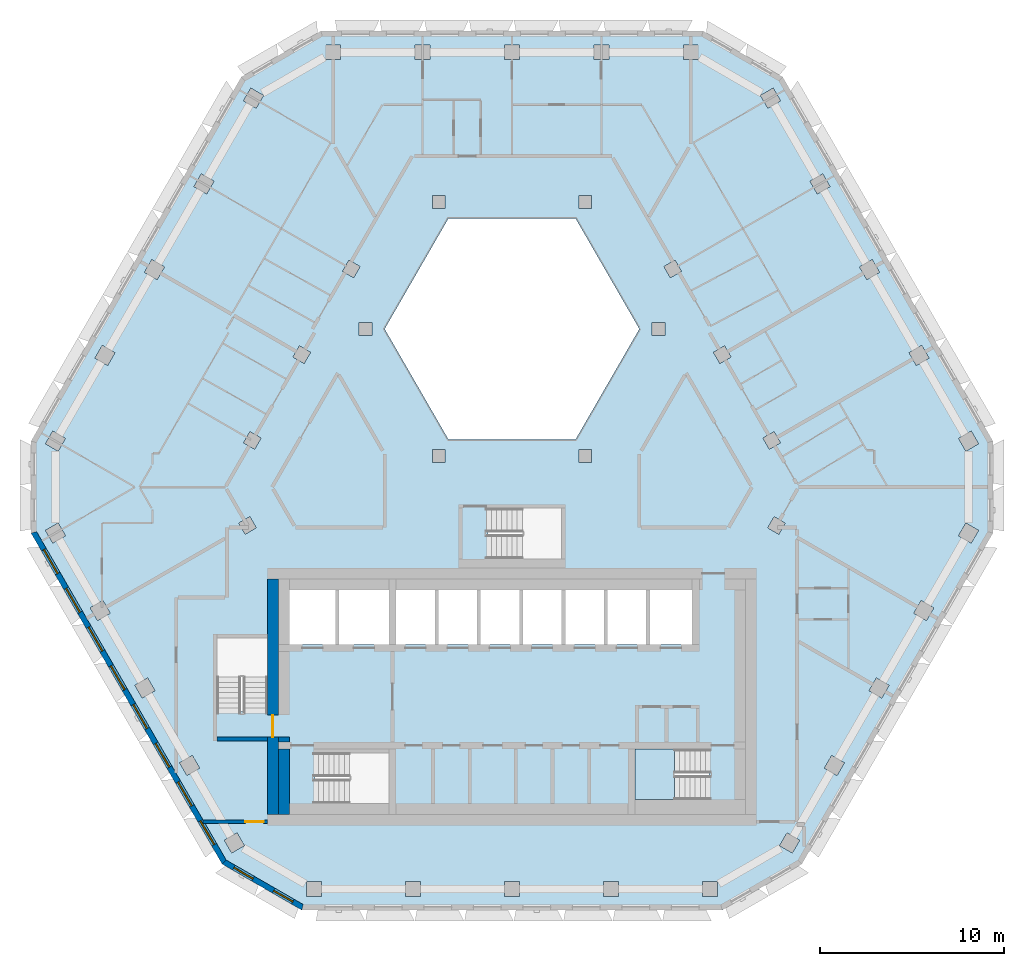
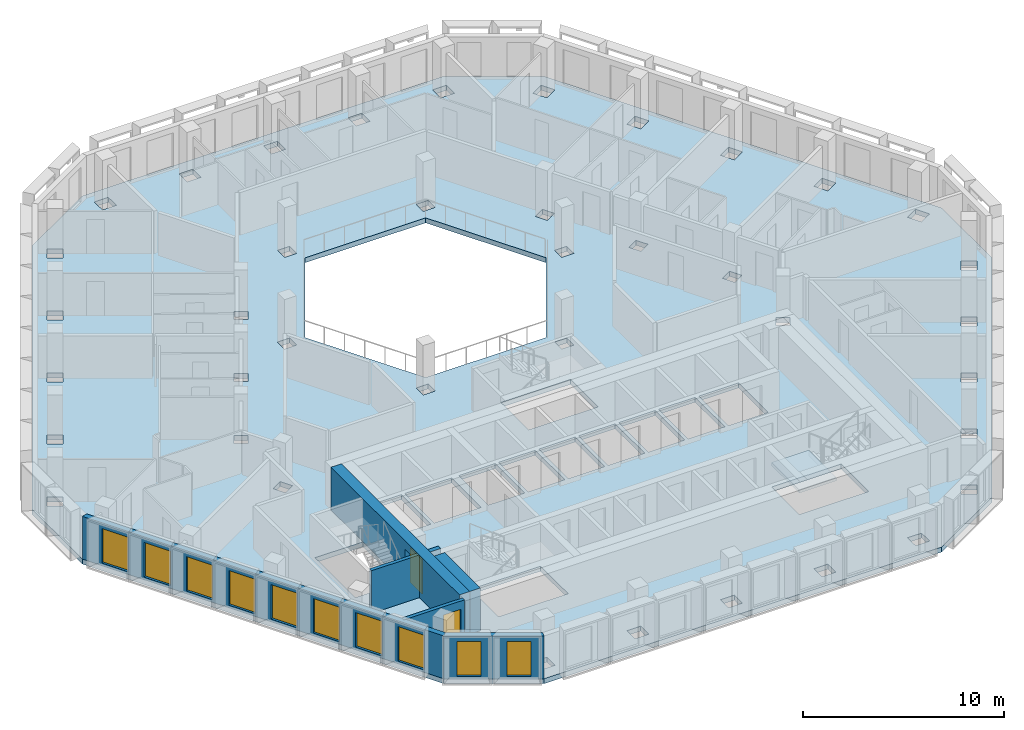
# One storey, part 2 of 18: 10 windows, 7 walls, 2 doors, 2 slabs, 12 openings, 1 element without a shape of its own.
"""IFC4 building model written with IfcOpenShell, lengths in metres."""

from ifc_helpers import new_model, si_unit, direction, frame, frame_2d, origin, place, context, subcontext, project, spatial, polyline, rectangle, outline, extrude, material, layer, layer_set, type_object, element, fill, aggregate, save


model = new_model("IFC4")

# Units and contexts
model_context = context("Model", 3, precision=1e-05, world=origin(), true_north=direction((0.0, 1.0)))
body_context = subcontext(model_context, "Body", "Model", "MODEL_VIEW")
ifc_project = project(units=[si_unit("LENGTHUNIT", "METRE"), si_unit("AREAUNIT", "SQUARE_METRE"), si_unit("VOLUMEUNIT", "CUBIC_METRE"), si_unit("PLANEANGLEUNIT", "RADIAN"), si_unit("MASSUNIT", "GRAM", prefix="KILO")], contexts=[model_context])

# Site, building, storey
site_placement = place(None, origin())
site = spatial("IfcSite", under=ifc_project, at=site_placement, CompositionType="ELEMENT")
building_placement = place(site_placement, origin())
building = spatial("IfcBuilding", under=site, at=building_placement, Name="Beryl Residences", CompositionType="ELEMENT")
storey_placement = place(building_placement, frame((0.0, 0.0, 196.199951171875)))
storey = spatial("IfcBuildingStorey", under=building, at=storey_placement, Name="L60", CompositionType="ELEMENT", Elevation=196.199951171875)

# Slab
ifc_material_1 = material(Name="Concrete C40/50", Category="concrete")
ifc_layer_1 = layer(ifc_material_1, 0.300048828125)
ifc_layer_set_1 = layer_set([ifc_layer_1], Name="SL7 PT floor slab 300 mm C40/50")
slab_type_1 = type_object("IfcSlabType", Name="SL7 PT floor slab 300 mm C40/50", PredefinedType="FLOOR", material=ifc_layer_set_1)
slab_1_placement = place(storey_placement, frame((0.0, 0.0, -0.300048828125)))
element("IfcSlab", 1, at=slab_1_placement, inside=storey, type_object=slab_type_1, Name="L60 slab 1", PredefinedType="FLOOR", context=body_context, shape_type="SweptSolid", body=[
    extrude(outline(polyline([(26.154052734375, -3.10009765625), (15.760986328125, -21.10009765625), (11.430908203125, -23.60009765625), (-11.430908203125, -23.60009765625), (-15.760986328125, -21.10009765625), (-26.154052734375, -3.10009765625), (-26.154052734375, 1.89990234375), (-14.721923828125, 21.699951171875), (-10.39208984375, 24.199951171875), (10.39208984375, 24.199951171875), (14.721923828125, 21.699951171875), (26.154052734375, 1.89990234375), (26.154052734375, -3.10009765625)]), holes=[polyline([(24.971923828125, 2.446044921875), (24.280029296875, 2.0458984375), (24.679931640625, 1.35400390625), (25.3720703125, 1.75390625), (24.971923828125, 2.446044921875)]), polyline([(24.678955078125, -2.554931640625), (24.279052734375, -3.2470703125), (24.970947265625, -3.64697265625), (25.37109375, -2.955078125), (24.678955078125, -2.554931640625)]), polyline([(22.2470703125, -6.76806640625), (21.846923828125, -7.4599609375), (22.5390625, -7.860107421875), (22.93896484375, -7.16796875), (22.2470703125, -6.76806640625)]), polyline([(22.280029296875, 7.10791015625), (21.587890625, 6.7080078125), (21.988037109375, 6.01611328125), (22.679931640625, 6.416015625), (22.280029296875, 7.10791015625)]), polyline([(19.4150390625, -11.672119140625), (20.10693359375, -12.072021484375), (20.507080078125, -11.3798828125), (19.81494140625, -10.97998046875), (19.4150390625, -11.672119140625)]), polyline([(18.89599609375, 11.37109375), (19.2958984375, 10.678955078125), (19.988037109375, 11.0791015625), (19.587890625, 11.77099609375), (18.89599609375, 11.37109375)]), polyline([(18.074951171875, -15.592041015625), (17.383056640625, -15.19189453125), (16.98291015625, -15.884033203125), (17.675048828125, -16.283935546875), (18.074951171875, -15.592041015625)]), polyline([(16.89599609375, 16.43408203125), (16.2041015625, 16.033935546875), (16.60400390625, 15.342041015625), (17.2958984375, 15.741943359375), (16.89599609375, 16.43408203125)]), polyline([(15.64306640625, -19.804931640625), (14.950927734375, -19.405029296875), (14.551025390625, -20.096923828125), (15.242919921875, -20.4970703125), (15.64306640625, -19.804931640625)]), polyline([(14.860107421875, -2.56103515625), (14.25390625, -2.2109375), (13.904052734375, -2.81689453125), (14.510009765625, -3.1669921875), (14.860107421875, -2.56103515625)]), polyline([(14.2041015625, 21.095947265625), (13.511962890625, 20.696044921875), (13.912109375, 20.00390625), (14.60400390625, 20.404052734375), (14.2041015625, 21.095947265625)]), polyline([(13.64501953125, 2.06494140625), (13.9951171875, 1.458984375), (14.60107421875, 1.80908203125), (14.2509765625, 2.4150390625), (13.64501953125, 2.06494140625)]), polyline([(11.55908203125, 7.077880859375), (10.952880859375, 6.72802734375), (11.302978515625, 6.1220703125), (11.908935546875, 6.471923828125), (11.55908203125, 7.077880859375)]), polyline([(11.1689453125, -22.050048828125), (10.368896484375, -22.050048828125), (10.368896484375, -22.85009765625), (11.1689453125, -22.85009765625), (11.1689453125, -22.050048828125)]), polyline([(6.699951171875, -14.85009765625), (6.699951171875, -17.60009765625), (10.699951171875, -17.60009765625), (10.699951171875, -14.85009765625), (6.699951171875, -14.85009765625)]), polyline([(9.327880859375, 23.449951171875), (9.327880859375, 22.64990234375), (10.1279296875, 22.64990234375), (10.1279296875, 23.449951171875), (9.327880859375, 23.449951171875)]), polyline([(7.5, -9.14990234375), (9.800048828125, -9.14990234375), (9.800048828125, -6.199951171875), (7.5, -6.199951171875), (7.5, -9.14990234375)]), polyline([(8.260986328125, 11.39111328125), (8.611083984375, 10.784912109375), (9.217041015625, 11.135009765625), (8.866943359375, 11.740966796875), (8.260986328125, 11.39111328125)]), polyline([(8.31689453125, 7.64990234375), (8.31689453125, 8.35009765625), (7.616943359375, 8.35009765625), (7.616943359375, 7.64990234375), (8.31689453125, 7.64990234375)]), polyline([(5.199951171875, -9.14990234375), (7.300048828125, -9.14990234375), (7.300048828125, -6.199951171875), (5.199951171875, -6.199951171875), (5.199951171875, -9.14990234375)]), polyline([(3.464111328125, 14.0), (-3.464111328125, 14.0), (-6.92822265625, 8.0), (-3.464111328125, 2.0), (3.464111328125, 2.0), (6.92822265625, 8.0), (3.464111328125, 14.0)]), polyline([(5.784912109375, -22.85009765625), (5.784912109375, -22.050048828125), (4.985107421875, -22.050048828125), (4.985107421875, -22.85009765625), (5.784912109375, -22.85009765625)]), polyline([(4.464111328125, 23.449951171875), (4.464111328125, 22.64990234375), (5.263916015625, 22.64990234375), (5.263916015625, 23.449951171875), (4.464111328125, 23.449951171875)]), polyline([(5.0, -9.14990234375), (5.0, -6.199951171875), (2.89990234375, -6.199951171875), (2.89990234375, -9.14990234375), (5.0, -9.14990234375)]), polyline([(4.333984375, 14.550048828125), (4.333984375, 15.25), (3.634033203125, 15.25), (3.634033203125, 14.550048828125), (4.333984375, 14.550048828125)]), polyline([(4.333984375, 1.449951171875), (3.634033203125, 1.449951171875), (3.634033203125, 0.75), (4.333984375, 0.75), (4.333984375, 1.449951171875)]), polyline([(2.699951171875, -4.5), (2.699951171875, -1.75), (-1.300048828125, -1.75), (-1.300048828125, -4.5), (2.699951171875, -4.5)]), polyline([(0.60009765625, -9.14990234375), (2.699951171875, -9.14990234375), (2.699951171875, -6.199951171875), (0.60009765625, -6.199951171875), (0.60009765625, -9.14990234375)]), polyline([(-0.39892578125, -22.050048828125), (-0.39892578125, -22.85009765625), (0.40087890625, -22.85009765625), (0.40087890625, -22.050048828125), (-0.39892578125, -22.050048828125)]), polyline([(0.39990234375, 22.64990234375), (0.39990234375, 23.449951171875), (-0.39990234375, 23.449951171875), (-0.39990234375, 22.64990234375), (0.39990234375, 22.64990234375)]), polyline([(0.39990234375, -6.199951171875), (-1.699951171875, -6.199951171875), (-1.699951171875, -9.14990234375), (0.39990234375, -9.14990234375), (0.39990234375, -6.199951171875)]), polyline([(-4.0, -9.14990234375), (-1.89990234375, -9.14990234375), (-1.89990234375, -6.199951171875), (-4.0, -6.199951171875), (-4.0, -9.14990234375)]), polyline([(-3.634033203125, 15.25), (-4.333984375, 15.25), (-4.333984375, 14.550048828125), (-3.634033203125, 14.550048828125), (-3.634033203125, 15.25)]), polyline([(-3.634033203125, 0.75), (-3.634033203125, 1.449951171875), (-4.333984375, 1.449951171875), (-4.333984375, 0.75), (-3.634033203125, 0.75)]), polyline([(-6.300048828125, -9.14990234375), (-4.199951171875, -9.14990234375), (-4.199951171875, -6.199951171875), (-6.300048828125, -6.199951171875), (-6.300048828125, -9.14990234375)]), polyline([(-5.263916015625, 23.449951171875), (-5.263916015625, 22.64990234375), (-4.464111328125, 22.64990234375), (-4.464111328125, 23.449951171875), (-5.263916015625, 23.449951171875)]), polyline([(-4.98291015625, -22.85009765625), (-4.98291015625, -22.050048828125), (-5.782958984375, -22.050048828125), (-5.782958984375, -22.85009765625), (-4.98291015625, -22.85009765625)]), polyline([(-6.699951171875, -6.199951171875), (-9.39990234375, -6.199951171875), (-9.39990234375, -9.14990234375), (-6.699951171875, -9.14990234375), (-6.699951171875, -6.199951171875)]), polyline([(-10.699951171875, -15.050048828125), (-10.699951171875, -17.800048828125), (-6.699951171875, -17.800048828125), (-6.699951171875, -15.050048828125), (-10.699951171875, -15.050048828125)]), polyline([(-7.616943359375, 7.64990234375), (-7.616943359375, 8.35009765625), (-8.31689453125, 8.35009765625), (-8.31689453125, 7.64990234375), (-7.616943359375, 7.64990234375)]), polyline([(-8.611083984375, 10.784912109375), (-8.260986328125, 11.39111328125), (-8.866943359375, 11.740966796875), (-9.217041015625, 11.135009765625), (-8.611083984375, 10.784912109375)]), polyline([(-10.1279296875, 23.449951171875), (-10.1279296875, 22.64990234375), (-9.327880859375, 22.64990234375), (-9.327880859375, 23.449951171875), (-10.1279296875, 23.449951171875)]), polyline([(-12.10009765625, -9.14990234375), (-9.60009765625, -9.14990234375), (-9.60009765625, -6.199951171875), (-12.10009765625, -6.199951171875), (-12.10009765625, -9.14990234375)]), polyline([(-11.1669921875, -22.050048828125), (-11.1669921875, -22.85009765625), (-10.366943359375, -22.85009765625), (-10.366943359375, -22.050048828125), (-11.1669921875, -22.050048828125)]), polyline([(-11.908935546875, 6.471923828125), (-11.302978515625, 6.1220703125), (-10.952880859375, 6.72802734375), (-11.55908203125, 7.077880859375), (-11.908935546875, 6.471923828125)]), polyline([(-13.300048828125, -8.800048828125), (-16.050048828125, -8.800048828125), (-16.050048828125, -12.800048828125), (-13.300048828125, -12.800048828125), (-13.300048828125, -8.800048828125)]), polyline([(-13.912109375, 20.00390625), (-13.511962890625, 20.696044921875), (-14.2041015625, 21.095947265625), (-14.60400390625, 20.404052734375), (-13.912109375, 20.00390625)]), polyline([(-13.9951171875, 1.458984375), (-13.64501953125, 2.06494140625), (-14.2509765625, 2.4150390625), (-14.60107421875, 1.80908203125), (-13.9951171875, 1.458984375)]), polyline([(-14.510986328125, -3.1650390625), (-13.905029296875, -2.81494140625), (-14.2548828125, -2.208984375), (-14.861083984375, -2.55908203125), (-14.510986328125, -3.1650390625)]), polyline([(-14.552001953125, -20.094970703125), (-14.951904296875, -19.403076171875), (-15.64404296875, -19.802978515625), (-15.243896484375, -20.4951171875), (-14.552001953125, -20.094970703125)]), polyline([(-16.60400390625, 15.342041015625), (-16.2041015625, 16.033935546875), (-16.89599609375, 16.43408203125), (-17.2958984375, 15.741943359375), (-16.60400390625, 15.342041015625)]), polyline([(-16.98388671875, -15.882080078125), (-17.384033203125, -15.18994140625), (-18.075927734375, -15.590087890625), (-17.676025390625, -16.281982421875), (-16.98388671875, -15.882080078125)]), polyline([(-18.89599609375, 11.37109375), (-19.587890625, 11.77099609375), (-19.988037109375, 11.0791015625), (-19.2958984375, 10.678955078125), (-18.89599609375, 11.37109375)]), polyline([(-20.10791015625, -12.070068359375), (-19.416015625, -11.669921875), (-19.81591796875, -10.97802734375), (-20.508056640625, -11.3779296875), (-20.10791015625, -12.070068359375)]), polyline([(-22.679931640625, 6.416015625), (-21.988037109375, 6.01611328125), (-21.587890625, 6.7080078125), (-22.280029296875, 7.10791015625), (-22.679931640625, 6.416015625)]), polyline([(-21.847900390625, -7.4580078125), (-22.248046875, -6.76611328125), (-22.93994140625, -7.166015625), (-22.5400390625, -7.85791015625), (-21.847900390625, -7.4580078125)]), polyline([(-25.3720703125, 1.75390625), (-24.679931640625, 1.35400390625), (-24.280029296875, 2.0458984375), (-24.971923828125, 2.446044921875), (-25.3720703125, 1.75390625)]), polyline([(-24.280029296875, -3.2451171875), (-24.679931640625, -2.552978515625), (-25.3720703125, -2.952880859375), (-24.971923828125, -3.64501953125), (-24.280029296875, -3.2451171875)])]), origin(), (0.0, 0.0, 1.0), 0.300048828125),
])

# Stair, slab
ifc_material_2 = material(Name="Concrete C40/50", Category="concrete")
stair_type = type_object("IfcStairType", Name="ST1 protected exit stair, half-turn, 1300 mm flights", PredefinedType="HALF_TURN_STAIR", material=ifc_material_2)
stair_placement = place(storey_placement, origin())
stair = element("IfcStair", 2, at=stair_placement, inside=storey, type_object=stair_type, Name="L60 PROTECTED EXIT STAIR ST-3", PredefinedType="HALF_TURN_STAIR")
ifc_material_3 = material(Name="Concrete C40/50", Category="concrete")
ifc_layer_2 = layer(ifc_material_3, 0.199951171875)
ifc_layer_set_2 = layer_set([ifc_layer_2], Name="SLD1 stair landing 200 mm")
slab_type_2 = type_object("IfcSlabType", Name="SLD1 stair landing 200 mm", PredefinedType="LANDING", material=ifc_layer_set_2)
slab_2_placement = place(storey_placement, frame((0.0, 0.0, 1.300048828125)))
slab_2 = element("IfcSlab", 3, at=slab_2_placement, type_object=slab_type_2, Name="ST-3 landing 1", PredefinedType="LANDING", context=body_context, shape_type="SweptSolid", body=[
    extrude(outline(polyline([(8.840087890625, -14.85009765625), (6.699951171875, -14.85009765625), (6.699951171875, -17.60009765625), (8.840087890625, -17.60009765625), (8.840087890625, -14.85009765625)])), origin(), (0.0, 0.0, 1.0), 0.199951171875),
])
aggregate(stair, [slab_2])

# Wall, openings, windows
ifc_material_4 = material(Name="Composite metal panel with mineral wool insulation")
ifc_layer_3 = layer(ifc_material_4, 0.300048828125)
ifc_layer_set_3 = layer_set([ifc_layer_3], Name="ES1 pale metal composite panel wall 300 mm")
wall_type_1 = type_object("IfcWallType", Name="ES1 pale metal composite panel wall 300 mm", PredefinedType="SOLIDWALL", material=ifc_layer_set_3)
wall_1_placement = place(storey_placement, frame((-26.02392578125, -3.02490234375, 0.0), z_axis=(0.0, 0.0, 1.0), x_axis=(0.500018670445, -0.86601462413, 0.0)))
wall_1 = element("IfcWall", 4, at=wall_1_placement, inside=storey, type_object=wall_type_1, Name="ES1 external wall L60 SW", PredefinedType="SOLIDWALL", context=body_context, shape_type="SweptSolid", body=[
    extrude(outline(polyline([(0.0, -0.14990234375), (20.784912109375, -0.14990234375), (20.70458984375, 0.14990234375), (0.080322265625, 0.14990234375), (0.0, -0.14990234375)])), origin(), (0.0, 0.0, 1.0), 2.60009765625),
])
opening_1_placement = place(wall_1_placement, frame((1.1298828125, 0.0, 0.14990234375)))
opening_1 = element("IfcOpeningElement", 5, at=opening_1_placement, cuts=wall_1, Name="Opening W1", PredefinedType="OPENING", context=body_context, shape_type="SweptSolid", body=[
    extrude(rectangle(XDim=1.5, YDim=2.10009765625, at=frame_2d((0.75, 1.050048828125))), frame((0.0, 0.159912109375, 0.0), z_axis=(0.0, -1.0, 0.0), x_axis=(1.0, 0.0, 0.0)), (0.0, 0.0, 1.0), 0.320068359375),
])
opening_2_placement = place(wall_1_placement, frame((3.56201171875, 0.0, 0.14990234375)))
opening_2 = element("IfcOpeningElement", 6, at=opening_2_placement, cuts=wall_1, Name="Opening W1", PredefinedType="OPENING", context=body_context, shape_type="SweptSolid", body=[
    extrude(rectangle(XDim=1.5, YDim=2.10009765625, at=frame_2d((0.75, 1.050048828125))), frame((0.0, 0.159912109375, 0.0), z_axis=(0.0, -1.0, 0.0), x_axis=(1.0, 0.0, 0.0)), (0.0, 0.0, 1.0), 0.320068359375),
])
opening_3_placement = place(wall_1_placement, frame((5.993896484375, 0.0, 0.14990234375)))
opening_3 = element("IfcOpeningElement", 7, at=opening_3_placement, cuts=wall_1, Name="Opening W1", PredefinedType="OPENING", context=body_context, shape_type="SweptSolid", body=[
    extrude(rectangle(XDim=1.5, YDim=2.10009765625, at=frame_2d((0.75, 1.050048828125))), frame((0.0, 0.159912109375, 0.0), z_axis=(0.0, -1.0, 0.0), x_axis=(1.0, 0.0, 0.0)), (0.0, 0.0, 1.0), 0.320068359375),
])
opening_4_placement = place(wall_1_placement, frame((8.425048828125, 0.0, 0.14990234375)))
opening_4 = element("IfcOpeningElement", 8, at=opening_4_placement, cuts=wall_1, Name="Opening W1", PredefinedType="OPENING", context=body_context, shape_type="SweptSolid", body=[
    extrude(rectangle(XDim=1.5, YDim=2.10009765625, at=frame_2d((0.75, 1.050048828125))), frame((0.0, 0.159912109375, 0.0), z_axis=(0.0, -1.0, 0.0), x_axis=(1.0, 0.0, 0.0)), (0.0, 0.0, 1.0), 0.320068359375),
])
opening_5_placement = place(wall_1_placement, frame((10.85693359375, 0.0, 0.14990234375)))
opening_5 = element("IfcOpeningElement", 9, at=opening_5_placement, cuts=wall_1, Name="Opening W1", PredefinedType="OPENING", context=body_context, shape_type="SweptSolid", body=[
    extrude(rectangle(XDim=1.5, YDim=2.10009765625, at=frame_2d((0.75, 1.050048828125))), frame((0.0, 0.159912109375, 0.0), z_axis=(0.0, -1.0, 0.0), x_axis=(1.0, 0.0, 0.0)), (0.0, 0.0, 1.0), 0.320068359375),
])
opening_6_placement = place(wall_1_placement, frame((13.2890625, 0.0, 0.14990234375)))
opening_6 = element("IfcOpeningElement", 10, at=opening_6_placement, cuts=wall_1, Name="Opening W1", PredefinedType="OPENING", context=body_context, shape_type="SweptSolid", body=[
    extrude(rectangle(XDim=1.5, YDim=2.10009765625, at=frame_2d((0.75, 1.050048828125))), frame((0.0, 0.159912109375, 0.0), z_axis=(0.0, -1.0, 0.0), x_axis=(1.0, 0.0, 0.0)), (0.0, 0.0, 1.0), 0.320068359375),
])
opening_7_placement = place(wall_1_placement, frame((15.721923828125, 0.0, 0.14990234375)))
opening_7 = element("IfcOpeningElement", 11, at=opening_7_placement, cuts=wall_1, Name="Opening W1", PredefinedType="OPENING", context=body_context, shape_type="SweptSolid", body=[
    extrude(rectangle(XDim=1.5, YDim=2.10009765625, at=frame_2d((0.75, 1.050048828125))), frame((0.0, 0.159912109375, 0.0), z_axis=(0.0, -1.0, 0.0), x_axis=(1.0, 0.0, 0.0)), (0.0, 0.0, 1.0), 0.320068359375),
])
opening_8_placement = place(wall_1_placement, frame((18.154052734375, 0.0, 0.14990234375)))
opening_8 = element("IfcOpeningElement", 12, at=opening_8_placement, cuts=wall_1, Name="Opening W1", PredefinedType="OPENING", context=body_context, shape_type="SweptSolid", body=[
    extrude(rectangle(XDim=1.5, YDim=2.10009765625, at=frame_2d((0.75, 1.050048828125))), frame((0.0, 0.159912109375, 0.0), z_axis=(0.0, -1.0, 0.0), x_axis=(1.0, 0.0, 0.0)), (0.0, 0.0, 1.0), 0.320068359375),
])
ifc_material_5 = material(Name="Aluminium and clear glass", Category="aluminium")
window_type_1 = type_object("IfcWindowType", Name="W1 cell window 1500 x 2100 mm", PartitioningType="SINGLE_PANEL", PredefinedType="WINDOW", material=ifc_material_5)
window_1_placement = place(opening_1_placement, origin())
window_1 = element("IfcWindow", 13, at=window_1_placement, inside=storey, type_object=window_type_1, Name="W1 window L60 SW 1", OverallHeight=2.10009765625, OverallWidth=1.5, PartitioningType="SINGLE_PANEL", PredefinedType="WINDOW", context=body_context, shape_type="SweptSolid", body=[
    extrude(rectangle(XDim=1.5, YDim=2.10009765625, at=frame_2d((0.75, 1.050048828125))), frame((0.0, 0.030029296875, 0.0), z_axis=(0.0, -1.0, 0.0), x_axis=(1.0, 0.0, 0.0)), (0.0, 0.0, 1.0), 0.06005859375),
])
fill(opening_1, window_1)
window_2_placement = place(opening_2_placement, origin())
window_2 = element("IfcWindow", 14, at=window_2_placement, inside=storey, type_object=window_type_1, Name="W1 window L60 SW 2", OverallHeight=2.10009765625, OverallWidth=1.5, PartitioningType="SINGLE_PANEL", PredefinedType="WINDOW", context=body_context, shape_type="SweptSolid", body=[
    extrude(rectangle(XDim=1.5, YDim=2.10009765625, at=frame_2d((0.75, 1.050048828125))), frame((0.0, 0.030029296875, 0.0), z_axis=(0.0, -1.0, 0.0), x_axis=(1.0, 0.0, 0.0)), (0.0, 0.0, 1.0), 0.06005859375),
])
fill(opening_2, window_2)
window_3_placement = place(opening_3_placement, origin())
window_3 = element("IfcWindow", 15, at=window_3_placement, inside=storey, type_object=window_type_1, Name="W1 window L60 SW 3", OverallHeight=2.10009765625, OverallWidth=1.5, PartitioningType="SINGLE_PANEL", PredefinedType="WINDOW", context=body_context, shape_type="SweptSolid", body=[
    extrude(rectangle(XDim=1.5, YDim=2.10009765625, at=frame_2d((0.75, 1.050048828125))), frame((0.0, 0.030029296875, 0.0), z_axis=(0.0, -1.0, 0.0), x_axis=(1.0, 0.0, 0.0)), (0.0, 0.0, 1.0), 0.06005859375),
])
fill(opening_3, window_3)
window_4_placement = place(opening_4_placement, origin())
window_4 = element("IfcWindow", 16, at=window_4_placement, inside=storey, type_object=window_type_1, Name="W1 window L60 SW 4", OverallHeight=2.10009765625, OverallWidth=1.5, PartitioningType="SINGLE_PANEL", PredefinedType="WINDOW", context=body_context, shape_type="SweptSolid", body=[
    extrude(rectangle(XDim=1.5, YDim=2.10009765625, at=frame_2d((0.75, 1.050048828125))), frame((0.0, 0.030029296875, 0.0), z_axis=(0.0, -1.0, 0.0), x_axis=(1.0, 0.0, 0.0)), (0.0, 0.0, 1.0), 0.06005859375),
])
fill(opening_4, window_4)
window_5_placement = place(opening_5_placement, origin())
window_5 = element("IfcWindow", 17, at=window_5_placement, inside=storey, type_object=window_type_1, Name="W1 window L60 SW 5", OverallHeight=2.10009765625, OverallWidth=1.5, PartitioningType="SINGLE_PANEL", PredefinedType="WINDOW", context=body_context, shape_type="SweptSolid", body=[
    extrude(rectangle(XDim=1.5, YDim=2.10009765625, at=frame_2d((0.75, 1.050048828125))), frame((0.0, 0.030029296875, 0.0), z_axis=(0.0, -1.0, 0.0), x_axis=(1.0, 0.0, 0.0)), (0.0, 0.0, 1.0), 0.06005859375),
])
fill(opening_5, window_5)
window_6_placement = place(opening_6_placement, origin())
window_6 = element("IfcWindow", 18, at=window_6_placement, inside=storey, type_object=window_type_1, Name="W1 window L60 SW 6", OverallHeight=2.10009765625, OverallWidth=1.5, PartitioningType="SINGLE_PANEL", PredefinedType="WINDOW", context=body_context, shape_type="SweptSolid", body=[
    extrude(rectangle(XDim=1.5, YDim=2.10009765625, at=frame_2d((0.75, 1.050048828125))), frame((0.0, 0.030029296875, 0.0), z_axis=(0.0, -1.0, 0.0), x_axis=(1.0, 0.0, 0.0)), (0.0, 0.0, 1.0), 0.06005859375),
])
fill(opening_6, window_6)
window_7_placement = place(opening_7_placement, origin())
window_7 = element("IfcWindow", 19, at=window_7_placement, inside=storey, type_object=window_type_1, Name="W1 window L60 SW 7", OverallHeight=2.10009765625, OverallWidth=1.5, PartitioningType="SINGLE_PANEL", PredefinedType="WINDOW", context=body_context, shape_type="SweptSolid", body=[
    extrude(rectangle(XDim=1.5, YDim=2.10009765625, at=frame_2d((0.75, 1.050048828125))), frame((0.0, 0.030029296875, 0.0), z_axis=(0.0, -1.0, 0.0), x_axis=(1.0, 0.0, 0.0)), (0.0, 0.0, 1.0), 0.06005859375),
])
fill(opening_7, window_7)
window_8_placement = place(opening_8_placement, origin())
window_8 = element("IfcWindow", 20, at=window_8_placement, inside=storey, type_object=window_type_1, Name="W1 window L60 SW 8", OverallHeight=2.10009765625, OverallWidth=1.5, PartitioningType="SINGLE_PANEL", PredefinedType="WINDOW", context=body_context, shape_type="SweptSolid", body=[
    extrude(rectangle(XDim=1.5, YDim=2.10009765625, at=frame_2d((0.75, 1.050048828125))), frame((0.0, 0.030029296875, 0.0), z_axis=(0.0, -1.0, 0.0), x_axis=(1.0, 0.0, 0.0)), (0.0, 0.0, 1.0), 0.06005859375),
])
fill(opening_8, window_8)

wall_2_placement = place(storey_placement, frame((-15.68603515625, -20.969970703125, 0.0), z_axis=(0.0, 0.0, 1.0), x_axis=(0.866022959057, -0.500004234368, 0.0)))
wall_2 = element("IfcWall", 21, at=wall_2_placement, inside=storey, type_object=wall_type_1, Name="ES1 external wall L60 SW-S", PredefinedType="SOLIDWALL", context=body_context, shape_type="SweptSolid", body=[
    extrude(outline(polyline([(0.0, -0.14990234375), (5.0, -0.14990234375), (4.919677734375, 0.14990234375), (0.080322265625, 0.14990234375), (0.0, -0.14990234375)])), origin(), (0.0, 0.0, 1.0), 2.60009765625),
])
opening_9_placement = place(wall_2_placement, frame((0.64990234375, 0.0, 0.14990234375)))
opening_9 = element("IfcOpeningElement", 22, at=opening_9_placement, cuts=wall_2, Name="Opening W2", PredefinedType="OPENING", context=body_context, shape_type="SweptSolid", body=[
    extrude(rectangle(XDim=1.199951171875, YDim=2.10009765625, at=frame_2d((0.60009765625, 1.050048828125))), frame((0.0, 0.159912109375, 0.0), z_axis=(0.0, -1.0, 0.0), x_axis=(1.0, 0.0, 0.0)), (0.0, 0.0, 1.0), 0.320068359375),
])
opening_10_placement = place(wall_2_placement, frame((3.14990234375, 0.0, 0.14990234375)))
opening_10 = element("IfcOpeningElement", 23, at=opening_10_placement, cuts=wall_2, Name="Opening W2", PredefinedType="OPENING", context=body_context, shape_type="SweptSolid", body=[
    extrude(rectangle(XDim=1.199951171875, YDim=2.10009765625, at=frame_2d((0.60009765625, 1.050048828125))), frame((0.0, 0.159912109375, 0.0), z_axis=(0.0, -1.0, 0.0), x_axis=(1.0, 0.0, 0.0)), (0.0, 0.0, 1.0), 0.320068359375),
])
ifc_material_6 = material(Name="Aluminium and clear glass", Category="aluminium")
window_type_2 = type_object("IfcWindowType", Name="W2 chamfer window 1200 x 2100 mm", PartitioningType="SINGLE_PANEL", PredefinedType="WINDOW", material=ifc_material_6)
window_9_placement = place(opening_9_placement, origin())
window_9 = element("IfcWindow", 24, at=window_9_placement, inside=storey, type_object=window_type_2, Name="W2 window L60 SW-S 1", OverallHeight=2.10009765625, OverallWidth=1.199951171875, PartitioningType="SINGLE_PANEL", PredefinedType="WINDOW", context=body_context, shape_type="SweptSolid", body=[
    extrude(rectangle(XDim=1.199951171875, YDim=2.10009765625, at=frame_2d((0.60009765625, 1.050048828125))), frame((0.0, 0.030029296875, 0.0), z_axis=(0.0, -1.0, 0.0), x_axis=(1.0, 0.0, 0.0)), (0.0, 0.0, 1.0), 0.06005859375),
])
fill(opening_9, window_9)
window_10_placement = place(opening_10_placement, origin())
window_10 = element("IfcWindow", 25, at=window_10_placement, inside=storey, type_object=window_type_2, Name="W2 window L60 SW-S 2", OverallHeight=2.10009765625, OverallWidth=1.199951171875, PartitioningType="SINGLE_PANEL", PredefinedType="WINDOW", context=body_context, shape_type="SweptSolid", body=[
    extrude(rectangle(XDim=1.199951171875, YDim=2.10009765625, at=frame_2d((0.60009765625, 1.050048828125))), frame((0.0, 0.030029296875, 0.0), z_axis=(0.0, -1.0, 0.0), x_axis=(1.0, 0.0, 0.0)), (0.0, 0.0, 1.0), 0.06005859375),
])
fill(opening_10, window_10)

# Wall
ifc_material_7 = material(Name="Concrete masonry", Category="masonry")
ifc_layer_4 = layer(ifc_material_7, 0.25)
ifc_layer_set_4 = layer_set([ifc_layer_4], Name="PT13-250 lobby wall 250 mm")
wall_type_2 = type_object("IfcWallType", Name="PT13-250 lobby wall 250 mm", PredefinedType="PARTITIONING", material=ifc_layer_set_4)
wall_3_placement = place(storey_placement, frame((-12.699951171875, -14.324951171875, 0.0), z_axis=(0.0, 0.0, 1.0), x_axis=(1.0, 0.0, 0.0)))
element("IfcWall", 26, at=wall_3_placement, inside=storey, type_object=wall_type_2, Name="Lobby wall 05", PredefinedType="PARTITIONING", context=body_context, shape_type="SweptSolid", body=[
    extrude(rectangle(XDim=0.599853515625, YDim=0.25, at=frame_2d((0.2998046875, 0.0))), origin(), (0.0, 0.0, 1.0), 2.60009765625),
])

# Wall, opening, door
ifc_material_8 = material(Name="Double stud gypsum board wall")
ifc_layer_5 = layer(ifc_material_8, 0.199951171875)
ifc_layer_set_5 = layer_set([ifc_layer_5], Name="PT4 corridor wall 200 mm double stud")
wall_type_3 = type_object("IfcWallType", Name="PT4 corridor wall 200 mm double stud", PredefinedType="PARTITIONING", material=ifc_layer_set_5)
wall_4_placement = place(storey_placement, frame((-16.7919921875, -18.800048828125, 0.0), z_axis=(0.0, 0.0, 1.0), x_axis=(1.0, 0.0, 0.0)))
wall_4 = element("IfcWall", 27, at=wall_4_placement, inside=storey, type_object=wall_type_3, Name="Wall PT4 L60 026", PredefinedType="PARTITIONING", context=body_context, shape_type="SweptSolid", body=[
    extrude(rectangle(XDim=3.491943359375, YDim=0.199951171875, at=frame_2d((1.74609375, 0.0))), origin(), (0.0, 0.0, 1.0), 2.60009765625),
])
opening_11_placement = place(wall_4_placement, frame((2.2919921875, 0.0, 0.0)))
opening_11 = element("IfcOpeningElement", 28, at=opening_11_placement, cuts=wall_4, Name="Opening D1549", PredefinedType="OPENING", context=body_context, shape_type="SweptSolid", body=[
    extrude(rectangle(XDim=1.0, YDim=2.10009765625, at=frame_2d((0.5, 1.050048828125))), frame((0.0, 0.10986328125, 0.0), z_axis=(0.0, -1.0, 0.0), x_axis=(1.0, 0.0, 0.0)), (0.0, 0.0, 1.0), 0.219970703125),
])
ifc_material_9 = material(Name="Timber door leaf", Category="wood")
door_type_1 = type_object("IfcDoorType", Name="D1 flat entrance door 1000 x 2100 mm", OperationType="SINGLE_SWING_LEFT", PredefinedType="DOOR", material=ifc_material_9)
door_1_placement = place(opening_11_placement, origin())
door_1 = element("IfcDoor", 29, at=door_1_placement, inside=storey, type_object=door_type_1, Name="Door D1549 L60 001", OperationType="SINGLE_SWING_RIGHT", OverallHeight=2.10009765625, OverallWidth=1.0, PredefinedType="DOOR", context=body_context, shape_type="SweptSolid", body=[
    extrude(rectangle(XDim=1.0, YDim=2.10009765625, at=frame_2d((0.5, 1.050048828125))), frame((0.0, 0.02490234375, 0.0), z_axis=(0.0, -1.0, 0.0), x_axis=(1.0, 0.0, 0.0)), (0.0, 0.0, 1.0), 0.050048828125),
])
fill(opening_11, door_1)

# Walls
ifc_material_10 = material(Name="Concrete C40/50", Category="concrete")
ifc_layer_6 = layer(ifc_material_10, 0.199951171875)
ifc_layer_set_6 = layer_set([ifc_layer_6], Name="PT5 stair enclosure wall 200 mm reinforced concrete C40/50")
wall_type_4 = type_object("IfcWallType", Name="PT5 stair enclosure wall 200 mm reinforced concrete C40/50", PredefinedType="SOLIDWALL", material=ifc_layer_set_6)
wall_5_placement = place(storey_placement, frame((-16.050048828125, -14.300048828125, 0.0), z_axis=(0.0, 0.0, 1.0), x_axis=(1.0, 0.0, 0.0)))
element("IfcWall", 30, at=wall_5_placement, inside=storey, type_object=wall_type_4, Name="Stair wall 02", PredefinedType="SOLIDWALL", context=body_context, shape_type="SweptSolid", body=[
    extrude(rectangle(XDim=2.75, YDim=0.199951171875, at=frame_2d((1.375, 0.0))), origin(), (0.0, 0.0, 1.0), 2.60009765625),
])
ifc_material_11 = material(Name="Concrete C40/50", Category="concrete")
ifc_layer_7 = layer(ifc_material_11, 0.60009765625)
ifc_layer_set_7 = layer_set([ifc_layer_7], Name="PT5-600 stair enclosure wall 600 mm")
wall_type_5 = type_object("IfcWallType", Name="PT5-600 stair enclosure wall 600 mm", PredefinedType="SOLIDWALL", material=ifc_layer_set_7)
wall_6_placement = place(storey_placement, frame((-12.39990234375, -18.39990234375, 0.0), z_axis=(0.0, 0.0, 1.0), x_axis=(0.0, 1.0, 0.0)))
element("IfcWall", 31, at=wall_6_placement, inside=storey, type_object=wall_type_5, Name="Stair wall 04", PredefinedType="SOLIDWALL", context=body_context, shape_type="SweptSolid", body=[
    extrude(rectangle(XDim=3.5498046875, YDim=0.60009765625, at=frame_2d((1.77490234375, 0.0))), origin(), (0.0, 0.0, 1.0), 2.60009765625),
])

# Wall, opening, door
ifc_material_12 = material(Name="Concrete C50/60", Category="concrete")
ifc_layer_8 = layer(ifc_material_12, 0.60009765625)
ifc_layer_set_8 = layer_set([ifc_layer_8], Name="SW4 core outer wall 600 mm C50/60")
wall_type_6 = type_object("IfcWallType", Name="SW4 core outer wall 600 mm C50/60", PredefinedType="SHEAR", material=ifc_layer_set_8)
wall_7_placement = place(storey_placement, frame((-13.0, -18.39990234375, 0.0), z_axis=(0.0, 0.0, 1.0), x_axis=(0.0, 1.0, 0.0)))
wall_7 = element("IfcWall", 32, at=wall_7_placement, inside=storey, type_object=wall_type_6, Name="Core wall W L60", PredefinedType="SHEAR", context=body_context, shape_type="SweptSolid", body=[
    extrude(rectangle(XDim=12.7998046875, YDim=0.60009765625, at=frame_2d((6.39990234375, 0.0))), origin(), (0.0, 0.0, 1.0), 2.60009765625),
])
opening_12_placement = place(wall_7_placement, frame((4.199951171875, 0.0, 0.0)))
opening_12 = element("IfcOpeningElement", 33, at=opening_12_placement, cuts=wall_7, Name="Opening SD-2", PredefinedType="OPENING", context=body_context, shape_type="SweptSolid", body=[
    extrude(rectangle(XDim=1.199951171875, YDim=2.10009765625, at=frame_2d((0.60009765625, 1.050048828125))), frame((0.0, 0.31005859375, 0.0), z_axis=(0.0, -1.0, 0.0), x_axis=(1.0, 0.0, 0.0)), (0.0, 0.0, 1.0), 0.6201171875),
])
ifc_material_13 = material(Name="Steel door leaf in steel frame", Category="steel")
door_type_2 = type_object("IfcDoorType", Name="D4 stair door 1200 x 2100 mm", OperationType="SINGLE_SWING_LEFT", PredefinedType="DOOR", material=ifc_material_13)
door_2_placement = place(opening_12_placement, origin())
door_2 = element("IfcDoor", 34, at=door_2_placement, inside=storey, type_object=door_type_2, Name="Door SD-2 L60 001", OperationType="SINGLE_SWING_RIGHT", OverallHeight=2.10009765625, OverallWidth=1.199951171875, PredefinedType="DOOR", context=body_context, shape_type="SweptSolid", body=[
    extrude(rectangle(XDim=1.199951171875, YDim=2.10009765625, at=frame_2d((0.60009765625, 1.050048828125))), frame((0.0, 0.02490234375, 0.0), z_axis=(0.0, -1.0, 0.0), x_axis=(1.0, 0.0, 0.0)), (0.0, 0.0, 1.0), 0.050048828125),
])
fill(opening_12, door_2)

save(model, "model.ifc")
